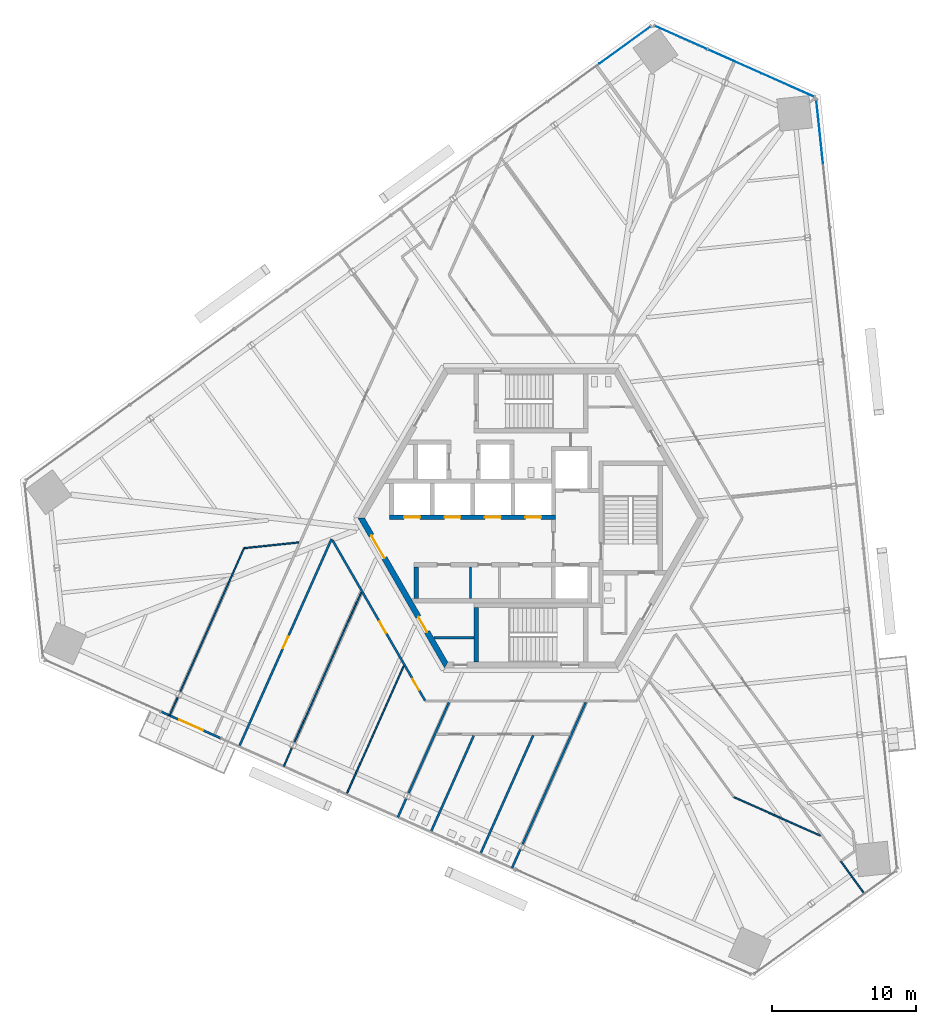
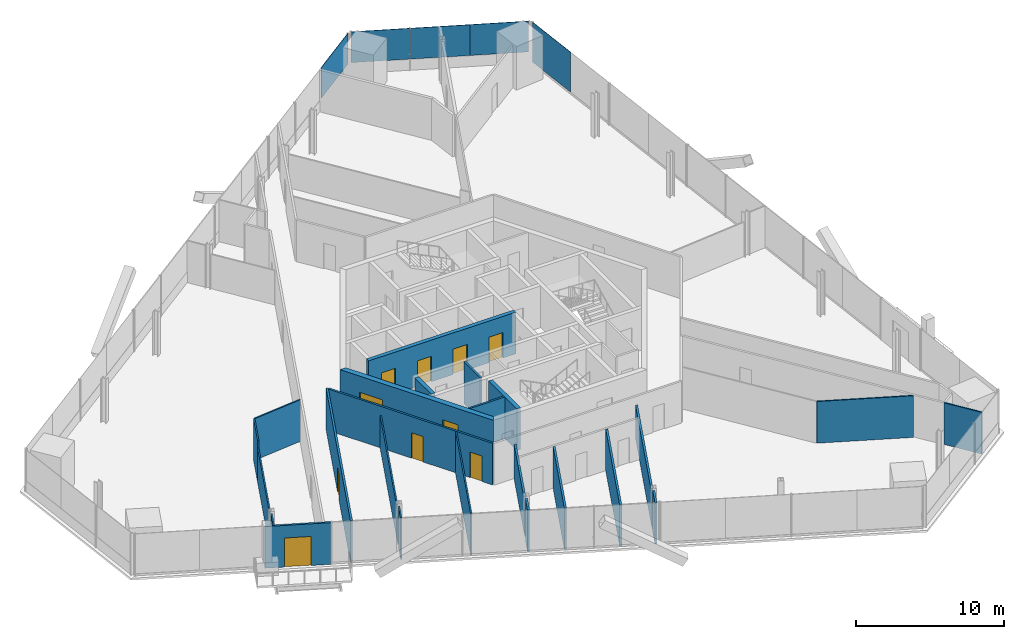
# One storey, part 11 of 19: 24 walls, 10 doors, 5 plates, 10 openings, 3 elements without a shape of their own.
"""IFC4 building model written with IfcOpenShell, lengths in metres."""

from ifc_helpers import new_model, si_unit, direction, frame, frame_2d, origin, origin_2d, place, context, subcontext, project, spatial, polyline, rectangle, outline, extrude, source, transform, mapped, material, layer, layer_set, type_object, element, fill, aggregate, save


model = new_model("IFC4")

# Units and contexts
model_context = context("Model", 3, precision=1e-05, world=origin(), true_north=direction((0.0, 1.0)))
body_context = subcontext(model_context, "Body", "Model", "MODEL_VIEW")
ifc_project = project(units=[si_unit("LENGTHUNIT", "METRE"), si_unit("AREAUNIT", "SQUARE_METRE"), si_unit("VOLUMEUNIT", "CUBIC_METRE"), si_unit("PLANEANGLEUNIT", "RADIAN"), si_unit("MASSUNIT", "GRAM", prefix="KILO")], contexts=[model_context])

# Site, building, storey
site_placement = place(None, origin())
site = spatial("IfcSite", under=ifc_project, at=site_placement, CompositionType="ELEMENT")
building_placement = place(site_placement, origin())
building = spatial("IfcBuilding", under=site, at=building_placement, Name="Triune Harvest Tower", CompositionType="ELEMENT")
storey_placement = place(building_placement, frame((0.0, 0.0, 69.300048828125)))
storey = spatial("IfcBuildingStorey", under=building, at=storey_placement, Name="L16", CompositionType="ELEMENT", Elevation=69.300048828125)

# Curtain wall, plates
ifc_material_1 = material(Name="Aluminium bronze anodised", Category="aluminium")
curtain_wall_type_1 = type_object("IfcCurtainWallType", Name="CW-1 Tower stick curtain wall", PredefinedType="NOTDEFINED", material=ifc_material_1)
curtain_wall_1_placement = place(storey_placement, origin())
curtain_wall_1 = element("IfcCurtainWall", 1, at=curtain_wall_1_placement, inside=storey, type_object=curtain_wall_type_1, Name="CW-1 B2-F2 L16 run 1")
ifc_material_2 = material(Name="Glass", Category="glass")
ifc_layer_1 = layer(ifc_material_2, 0.031982421875)
ifc_layer_set_1 = layer_set([ifc_layer_1], Name="Glass")
plate_type_1 = type_object("IfcPlateType", Name="GL-1 panel 32", PredefinedType="CURTAIN_PANEL", material=ifc_layer_set_1)
shared_shape_1 = source(origin(), body_context, "Body", "SweptSolid", [
    extrude(rectangle(XDim=3.99853515625, YDim=0.031982421875, at=origin_2d()), origin(), (0.0, 0.0, 1.0), 2.5400390625),
])
plate_1_placement = place(storey_placement, frame((17.783203125, 30.018798828125, 0.89990234375), z_axis=(0.0, 0.0, 1.0), x_axis=(-0.913546644034, 0.406733978386, 0.0)))
plate_1 = element("IfcPlate", 2, at=plate_1_placement, type_object=plate_type_1, Name="CW-1 panel B2-F2 1.1", PredefinedType="CURTAIN_PANEL", context=body_context, shape_type="MappedRepresentation", body=[
    mapped(shared_shape_1, transform((0.0, 0.0, 0.0), scale=1.0)),
])
shared_shape_2 = source(origin(), body_context, "Body", "SweptSolid", [
    extrude(rectangle(XDim=4.035888671875, YDim=0.031982421875, at=origin_2d()), origin(), (0.0, 0.0, 1.0), 2.5400390625),
])
plate_2_placement = place(storey_placement, frame((14.11328125, 31.65283203125, 0.89990234375), z_axis=(0.0, 0.0, 1.0), x_axis=(-0.913546644034, 0.406733978386, 0.0)))
plate_2 = element("IfcPlate", 3, at=plate_2_placement, type_object=plate_type_1, Name="CW-1 panel B2-F2 1.2", PredefinedType="CURTAIN_PANEL", context=body_context, shape_type="MappedRepresentation", body=[
    mapped(shared_shape_2, transform((0.0, 0.0, 0.0), scale=1.0)),
])
shared_shape_3 = source(origin(), body_context, "Body", "SweptSolid", [
    extrude(rectangle(XDim=3.9609375, YDim=0.031982421875, at=origin_2d()), origin(), (0.0, 0.0, 1.0), 2.5400390625),
])
plate_3_placement = place(storey_placement, frame((10.39208984375, 33.3095703125, 0.89990234375), z_axis=(0.0, 0.0, 1.0), x_axis=(-0.913546644034, 0.406733978386, 0.0)))
plate_3 = element("IfcPlate", 4, at=plate_3_placement, type_object=plate_type_1, Name="CW-1 panel B2-F2 1.3", PredefinedType="CURTAIN_PANEL", context=body_context, shape_type="MappedRepresentation", body=[
    mapped(shared_shape_3, transform((0.0, 0.0, 0.0), scale=1.0)),
])
aggregate(curtain_wall_1, [plate_1, plate_2, plate_3])

# Curtain wall, plate
curtain_wall_2_placement = place(storey_placement, origin())
curtain_wall_2 = element("IfcCurtainWall", 5, at=curtain_wall_2_placement, inside=storey, type_object=curtain_wall_type_1, Name="CW-1 B2-F3 L16 run 1")
shared_shape_4 = source(origin(), body_context, "Body", "SweptSolid", [
    extrude(rectangle(XDim=4.3955078125, YDim=0.031982421875, at=origin_2d()), origin(), (0.0, 0.0, 1.0), 2.5400390625),
])
plate_4_placement = place(storey_placement, frame((6.5205078125, 32.79345703125, 0.89990234375), z_axis=(0.0, 0.0, 1.0), x_axis=(-0.809016876799, -0.587785414122, 0.0)))
plate_4 = element("IfcPlate", 6, at=plate_4_placement, type_object=plate_type_1, Name="CW-1 panel B2-F3 1.1", PredefinedType="CURTAIN_PANEL", context=body_context, shape_type="MappedRepresentation", body=[
    mapped(shared_shape_4, transform((0.0, 0.0, 0.0), scale=1.0)),
])
aggregate(curtain_wall_2, [plate_4])

ifc_material_3 = material(Name="Aluminium bronze anodised", Category="aluminium")
curtain_wall_type_2 = type_object("IfcCurtainWallType", Name="CW-6 Balcony window wall", PredefinedType="NOTDEFINED", material=ifc_material_3)
curtain_wall_3_placement = place(storey_placement, origin())
curtain_wall_3 = element("IfcCurtainWall", 7, at=curtain_wall_3_placement, inside=storey, type_object=curtain_wall_type_2, Name="CW-6 B2-F1 L16 run 1002")
ifc_material_4 = material(Name="Glass", Category="glass")
ifc_layer_2 = layer(ifc_material_4, 0.030029296875)
ifc_layer_set_2 = layer_set([ifc_layer_2], Name="Glass")
plate_type_2 = type_object("IfcPlateType", Name="GL-6 panel 30", PredefinedType="CURTAIN_PANEL", material=ifc_layer_set_2)
shared_shape_5 = source(origin(), body_context, "Body", "SweptSolid", [
    extrude(rectangle(XDim=4.400634765625, YDim=0.030029296875, at=origin_2d()), origin(), (0.0, 0.0, 1.0), 3.2900390625),
])
plate_5_placement = place(storey_placement, frame((20.00732421875, 26.786376953125, 0.14990234375), z_axis=(0.0, 0.0, 1.0), x_axis=(-0.104527685331, 0.994521977132, 0.0)))
plate_5 = element("IfcPlate", 8, at=plate_5_placement, type_object=plate_type_2, Name="CW-6 panel B2-F1 1002.4", PredefinedType="CURTAIN_PANEL", context=body_context, shape_type="MappedRepresentation", body=[
    mapped(shared_shape_5, transform((0.0, 0.0, 0.0), scale=1.0)),
])
aggregate(curtain_wall_3, [plate_5])

# Wall, openings, doors
ifc_material_5 = material(Name="Gypsum board on steel studs", Category="steel")
ifc_layer_3 = layer(ifc_material_5, 0.14990234375)
ifc_layer_set_3 = layer_set([ifc_layer_3], Name="Gypsum board on steel studs")
wall_type_1 = type_object("IfcWallType", Name="Fire Partition 150 mm", PredefinedType="PARTITIONING", material=ifc_layer_set_3)
wall_1_placement = place(storey_placement, frame((-13.763916015625, -1.544677734375, 0.0), z_axis=(0.0, 0.0, 1.0), x_axis=(0.499994193788, -0.866028755976, 0.0)))
wall_1 = element("IfcWall", 9, at=wall_1_placement, inside=storey, type_object=wall_type_1, Name="Partition L16 003", PredefinedType="PARTITIONING", context=body_context, shape_type="SweptSolid", body=[
    extrude(rectangle(XDim=12.832275390625, YDim=0.14990234375, at=frame_2d((6.416015625, 0.0))), origin(), (0.0, 0.0, 1.0), 3.43994140625),
])
opening_1_placement = place(wall_1_placement, frame((6.5087890625, 0.0, 0.0)))
opening_1 = element("IfcOpeningElement", 10, at=opening_1_placement, cuts=wall_1, Name="Opening L16-014", PredefinedType="OPENING", context=body_context, shape_type="SweptSolid", body=[
    extrude(rectangle(XDim=0.89990234375, YDim=2.10009765625, at=frame_2d((0.449951171875, 1.050048828125))), frame((0.0, 0.0849609375, 0.0), z_axis=(0.0, -1.0, 0.0), x_axis=(1.0, 0.0, 0.0)), (0.0, 0.0, 1.0), 0.169921875),
])
opening_2_placement = place(wall_1_placement, frame((11.09765625, 0.0, 0.0)))
opening_2 = element("IfcOpeningElement", 11, at=opening_2_placement, cuts=wall_1, Name="Opening L16-015", PredefinedType="OPENING", context=body_context, shape_type="SweptSolid", body=[
    extrude(rectangle(XDim=0.89990234375, YDim=2.10009765625, at=frame_2d((0.449951171875, 1.050048828125))), frame((0.0, 0.0849609375, 0.0), z_axis=(0.0, -1.0, 0.0), x_axis=(1.0, 0.0, 0.0)), (0.0, 0.0, 1.0), 0.169921875),
])
ifc_material_6 = material(Name="Timber and steel door set", Category="steel")
door_type_1 = type_object("IfcDoorType", Name="Single leaf door FD30 left hand 900 x 2100", OperationType="SINGLE_SWING_LEFT", PredefinedType="DOOR", material=ifc_material_6)
door_1_placement = place(opening_1_placement, origin())
door_1 = element("IfcDoor", 12, at=door_1_placement, inside=storey, type_object=door_type_1, Name="Door L16-014 Office 16.14", OperationType="SINGLE_SWING_LEFT", OverallHeight=2.10009765625, OverallWidth=0.89990234375, PredefinedType="DOOR", context=body_context, shape_type="SweptSolid", body=[
    extrude(rectangle(XDim=0.89990234375, YDim=2.10009765625, at=frame_2d((0.449951171875, 1.050048828125))), frame((0.0, 0.02490234375, 0.0), z_axis=(0.0, -1.0, 0.0), x_axis=(1.0, 0.0, 0.0)), (0.0, 0.0, 1.0), 0.050048828125),
])
fill(opening_1, door_1)
door_2_placement = place(opening_2_placement, origin())
door_2 = element("IfcDoor", 13, at=door_2_placement, inside=storey, type_object=door_type_1, Name="Door L16-015 Meeting Room 16.15", OperationType="SINGLE_SWING_LEFT", OverallHeight=2.10009765625, OverallWidth=0.89990234375, PredefinedType="DOOR", context=body_context, shape_type="SweptSolid", body=[
    extrude(rectangle(XDim=0.89990234375, YDim=2.10009765625, at=frame_2d((0.449951171875, 1.050048828125))), frame((0.0, 0.02490234375, 0.0), z_axis=(0.0, -1.0, 0.0), x_axis=(1.0, 0.0, 0.0)), (0.0, 0.0, 1.0), 0.050048828125),
])
fill(opening_2, door_2)

# Wall
wall_2_placement = place(storey_placement, frame((-8.503173828125, -19.098388671875, 0.0), z_axis=(0.0, 0.0, 1.0), x_axis=(0.406741360929, 0.913543357105, 0.0)))
element("IfcWall", 14, at=wall_2_placement, inside=storey, type_object=wall_type_1, Name="Partition L16 036", PredefinedType="PARTITIONING", context=body_context, shape_type="SweptSolid", body=[
    extrude(rectangle(XDim=6.912353515625, YDim=0.14990234375, at=frame_2d((3.4560546875, 0.0))), origin(), (0.0, 0.0, 1.0), 2.82763671875),
])

# Wall, opening, door
wall_3_placement = place(storey_placement, frame((-20.23388671875, -15.837158203125, 0.0), z_axis=(0.0, 0.0, 1.0), x_axis=(0.406736762895, 0.913545404296, 0.0)))
wall_3 = element("IfcWall", 15, at=wall_3_placement, inside=storey, type_object=wall_type_1, Name="Partition L16 043", PredefinedType="PARTITIONING", context=body_context, shape_type="SweptSolid", body=[
    extrude(rectangle(XDim=15.748046875, YDim=0.14990234375, at=frame_2d((7.8740234375, 0.0))), origin(), (0.0, 0.0, 1.0), 3.43994140625),
])
opening_3_placement = place(wall_3_placement, frame((7.449951171875, 0.0, 0.0)))
opening_3 = element("IfcOpeningElement", 16, at=opening_3_placement, cuts=wall_3, Name="Opening L16-013", PredefinedType="OPENING", context=body_context, shape_type="SweptSolid", body=[
    extrude(rectangle(XDim=0.89990234375, YDim=2.10009765625, at=frame_2d((0.449951171875, 1.050048828125))), frame((0.0, 0.0849609375, 0.0), z_axis=(0.0, -1.0, 0.0), x_axis=(1.0, 0.0, 0.0)), (0.0, 0.0, 1.0), 0.169921875),
])
door_3_placement = place(opening_3_placement, origin())
door_3 = element("IfcDoor", 17, at=door_3_placement, inside=storey, type_object=door_type_1, Name="Door L16-013 Project Room 16.13", OperationType="SINGLE_SWING_LEFT", OverallHeight=2.10009765625, OverallWidth=0.89990234375, PredefinedType="DOOR", context=body_context, shape_type="SweptSolid", body=[
    extrude(rectangle(XDim=0.89990234375, YDim=2.10009765625, at=frame_2d((0.449951171875, 1.050048828125))), frame((0.0, 0.02490234375, 0.0), z_axis=(0.0, -1.0, 0.0), x_axis=(1.0, 0.0, 0.0)), (0.0, 0.0, 1.0), 0.050048828125),
])
fill(opening_3, door_3)

# Walls
ifc_material_7 = material(Name="Gypsum board on steel studs", Category="steel")
ifc_layer_4 = layer(ifc_material_7, 0.10009765625)
ifc_layer_set_4 = layer_set([ifc_layer_4], Name="Gypsum board on steel studs")
wall_type_2 = type_object("IfcWallType", Name="Partition 100 mm", PredefinedType="PARTITIONING", material=ifc_layer_set_4)
wall_4_placement = place(storey_placement, frame((14.067626953125, -19.35400390625, 0.0), z_axis=(0.0, 0.0, 1.0), x_axis=(0.913553618775, -0.406718312378, 0.0)))
element("IfcWall", 18, at=wall_4_placement, inside=storey, type_object=wall_type_2, Name="Partition L16 018", PredefinedType="PARTITIONING", context=body_context, shape_type="SweptSolid", body=[
    extrude(rectangle(XDim=6.562255859375, YDim=0.10009765625, at=frame_2d((3.28125, 0.0))), origin(), (0.0, 0.0, 1.0), 3.43994140625),
])
wall_5_placement = place(storey_placement, frame((-12.79296875, -19.14990234375, 0.0), z_axis=(0.0, 0.0, 1.0), x_axis=(0.406745311326, 0.91354159824, 0.0)))
element("IfcWall", 19, at=wall_5_placement, inside=storey, type_object=wall_type_2, Name="Partition L16 040", PredefinedType="PARTITIONING", context=body_context, shape_type="SweptSolid", body=[
    extrude(rectangle(XDim=9.7412109375, YDim=0.10009765625, at=frame_2d((4.87060546875, 0.0))), origin(), (0.0, 0.0, 1.0), 3.43994140625),
])
wall_6_placement = place(storey_placement, frame((-16.41650390625, -15.5751953125, 0.0), z_axis=(0.0, 0.0, 1.0), x_axis=(0.406737907723, 0.913544894584, 0.0)))
element("IfcWall", 20, at=wall_6_placement, inside=storey, type_object=wall_type_2, Name="Partition L16 042", PredefinedType="PARTITIONING", context=body_context, shape_type="SweptSolid", body=[
    extrude(rectangle(XDim=11.41064453125, YDim=0.10009765625, at=frame_2d((5.705322265625, 0.0))), origin(), (0.0, 0.0, 1.0), 2.682861328125),
])

# Wall, opening, door
ifc_material_8 = material(Name="Aluminium bronze anodised", Category="aluminium")
ifc_layer_5 = layer(ifc_material_8, 0.14990234375)
ifc_layer_set_5 = layer_set([ifc_layer_5], Name="Aluminium bronze anodised")
wall_type_3 = type_object("IfcWallType", Name="WW-2 balcony window wall", PredefinedType="ELEMENTEDWALL", material=ifc_layer_set_5)
wall_7_placement = place(storey_placement, frame((-21.525390625, -15.26220703125, 0.0), z_axis=(0.0, 0.0, 1.0), x_axis=(-0.913539759416, 0.406749441261, 0.0)))
wall_7 = element("IfcWall", 21, at=wall_7_placement, inside=storey, type_object=wall_type_3, Name="WW-2 B2-F5 L16.3", PredefinedType="ELEMENTEDWALL", context=body_context, shape_type="SweptSolid", body=[
    extrude(rectangle(XDim=4.4853515625, YDim=0.14990234375, at=frame_2d((2.24267578125, 0.0))), origin(), (0.0, 0.0, 1.0), 3.43994140625),
])
opening_4_placement = place(wall_7_placement, frame((1.3427734375, 0.0, 0.0)))
opening_4 = element("IfcOpeningElement", 22, at=opening_4_placement, cuts=wall_7, Name="Opening L16-E02", PredefinedType="OPENING", context=body_context, shape_type="SweptSolid", body=[
    extrude(rectangle(XDim=1.800048828125, YDim=2.39990234375, at=frame_2d((0.89990234375, 1.199951171875))), frame((0.0, 0.0849609375, 0.0), z_axis=(0.0, -1.0, 0.0), x_axis=(1.0, 0.0, 0.0)), (0.0, 0.0, 1.0), 0.169921875),
])
ifc_material_9 = material(Name="Glass", Category="glass")
door_type_2 = type_object("IfcDoorType", Name="DB-1 balcony door 1800 x 2400", OperationType="DOUBLE_DOOR_SINGLE_SWING", PredefinedType="DOOR", material=ifc_material_9)
door_4_placement = place(opening_4_placement, origin())
door_4 = element("IfcDoor", 23, at=door_4_placement, inside=storey, type_object=door_type_2, Name="Door L16-E02", OperationType="DOUBLE_DOOR_SINGLE_SWING", OverallHeight=2.39990234375, OverallWidth=1.800048828125, PredefinedType="DOOR", context=body_context, shape_type="SweptSolid", body=[
    extrude(rectangle(XDim=1.800048828125, YDim=2.39990234375, at=frame_2d((0.89990234375, 1.199951171875))), frame((0.0, 0.02490234375, 0.0), z_axis=(0.0, -1.0, 0.0), x_axis=(1.0, 0.0, 0.0)), (0.0, 0.0, 1.0), 0.050048828125),
])
fill(opening_4, door_4)

# Wall, openings, doors
ifc_material_10 = material(Name="Concrete 70 MPa", Category="concrete")
ifc_layer_6 = layer(ifc_material_10, 0.39990234375)
ifc_layer_set_6 = layer_set([ifc_layer_6], Name="Concrete 70 MPa")
wall_type_4 = type_object("IfcWallType", Name="Core wall 400", PredefinedType="SHEAR", material=ifc_layer_set_6)
shared_shape_6 = source(origin(), body_context, "Body", "SweptSolid", [
    extrude(outline(polyline([(-0.115478515625, -0.199951171875), (11.884521484375, -0.199951171875), (11.653564453125, 0.199951171875), (0.115478515625, 0.199951171875), (-0.115478515625, -0.199951171875)])), origin(), (0.0, 0.0, 1.0), 3.43994140625),
])
wall_8_placement = place(storey_placement, frame((-11.76904296875, 0.0, 0.0), z_axis=(0.0, 0.0, 1.0), x_axis=(0.499996592174, -0.866027371285, 0.0)))
wall_8 = element("IfcWall", 24, at=wall_8_placement, inside=storey, type_object=wall_type_4, Name="Hexagon 3 wall", PredefinedType="SHEAR", context=body_context, shape_type="MappedRepresentation", body=[
    mapped(shared_shape_6, transform((0.0, 0.0, 0.0), scale=1.0)),
])
opening_5_placement = place(wall_8_placement, frame((1.404541015625, 0.0, 0.0)))
opening_5 = element("IfcOpeningElement", 25, at=opening_5_placement, cuts=wall_8, Name="Opening CD-LS", PredefinedType="OPENING", context=body_context, shape_type="SweptSolid", body=[
    extrude(rectangle(XDim=1.800048828125, YDim=2.10009765625, at=frame_2d((0.89990234375, 1.050048828125))), frame((0.0, 0.2099609375, 0.0), z_axis=(0.0, -1.0, 0.0), x_axis=(1.0, 0.0, 0.0)), (0.0, 0.0, 1.0), 0.419921875),
])
opening_6_placement = place(wall_8_placement, frame((7.91455078125, 0.0, 0.0)))
opening_6 = element("IfcOpeningElement", 26, at=opening_6_placement, cuts=wall_8, Name="Opening CD-SWP", PredefinedType="OPENING", context=body_context, shape_type="SweptSolid", body=[
    extrude(rectangle(XDim=1.199951171875, YDim=2.10009765625, at=frame_2d((0.60009765625, 1.050048828125))), frame((0.0, 0.2099609375, 0.0), z_axis=(0.0, -1.0, 0.0), x_axis=(1.0, 0.0, 0.0)), (0.0, 0.0, 1.0), 0.419921875),
])
ifc_material_11 = material(Name="Steel S235", Category="steel")
door_type_3 = type_object("IfcDoorType", Name="Lobby door 1800 FD120", OperationType="DOUBLE_DOOR_DOUBLE_SWING", PredefinedType="DOOR", material=ifc_material_11)
door_5_placement = place(opening_5_placement, frame((1.800048828125, 0.0, 0.0), z_axis=(0.0, 0.0, 1.0), x_axis=(-1.0, 0.0, 0.0)))
door_5 = element("IfcDoor", 27, at=door_5_placement, inside=storey, type_object=door_type_3, Name="Door CD-LS", OperationType="DOUBLE_DOOR_DOUBLE_SWING", OverallHeight=2.10009765625, OverallWidth=1.800048828125, PredefinedType="DOOR", context=body_context, shape_type="SweptSolid", body=[
    extrude(rectangle(XDim=1.800048828125, YDim=2.10009765625, at=frame_2d((0.89990234375, 1.050048828125))), frame((0.0, 0.02490234375, 0.0), z_axis=(0.0, -1.0, 0.0), x_axis=(1.0, 0.0, 0.0)), (0.0, 0.0, 1.0), 0.050048828125),
])
fill(opening_5, door_5)
ifc_material_12 = material(Name="Steel S235", Category="steel")
door_type_4 = type_object("IfcDoorType", Name="Service door 1200 FD120", OperationType="SINGLE_SWING_LEFT", PredefinedType="DOOR", material=ifc_material_12)
door_6_placement = place(opening_6_placement, frame((1.199951171875, 0.0, 0.0), z_axis=(0.0, 0.0, 1.0), x_axis=(-1.0, 0.0, 0.0)))
door_6 = element("IfcDoor", 28, at=door_6_placement, inside=storey, type_object=door_type_4, Name="Door CD-SWP", OperationType="SINGLE_SWING_RIGHT", OverallHeight=2.10009765625, OverallWidth=1.199951171875, PredefinedType="DOOR", context=body_context, shape_type="SweptSolid", body=[
    extrude(rectangle(XDim=1.199951171875, YDim=2.10009765625, at=frame_2d((0.60009765625, 1.050048828125))), frame((0.0, 0.02490234375, 0.0), z_axis=(0.0, -1.0, 0.0), x_axis=(1.0, 0.0, 0.0)), (0.0, 0.0, 1.0), 0.050048828125),
])
fill(opening_6, door_6)

ifc_material_13 = material(Name="Concrete 70 MPa", Category="concrete")
ifc_layer_7 = layer(ifc_material_13, 0.300048828125)
ifc_layer_set_7 = layer_set([ifc_layer_7], Name="Concrete 70 MPa")
wall_type_5 = type_object("IfcWallType", Name="Core wall 300", PredefinedType="SHEAR", material=ifc_layer_set_7)
shared_shape_7 = source(origin(), body_context, "Body", "SweptSolid", [
    extrude(rectangle(XDim=11.5, YDim=0.300048828125, at=frame_2d((5.75, 0.0))), origin(), (0.0, 0.0, 1.0), 3.43994140625),
])
wall_9_placement = place(storey_placement, frame((-9.800048828125, 0.06005859375, 0.0), z_axis=(0.0, 0.0, 1.0), x_axis=(1.0, 0.0, 0.0)))
wall_9 = element("IfcWall", 29, at=wall_9_placement, inside=storey, type_object=wall_type_5, Name="North front wall", PredefinedType="SHEAR", context=body_context, shape_type="MappedRepresentation", body=[
    mapped(shared_shape_7, transform((0.0, 0.0, 0.0), scale=1.0)),
])
opening_7_placement = place(wall_9_placement, frame((1.0, 0.0, 0.0)))
opening_7 = element("IfcOpeningElement", 30, at=opening_7_placement, cuts=wall_9, Name="Opening LD-LR1-16", PredefinedType="OPENING", context=body_context, shape_type="SweptSolid", body=[
    extrude(rectangle(XDim=1.10009765625, YDim=2.10009765625, at=frame_2d((0.550048828125, 1.050048828125))), frame((0.0, 0.16015625, 0.0), z_axis=(0.0, -1.0, 0.0), x_axis=(1.0, 0.0, 0.0)), (0.0, 0.0, 1.0), 0.320068359375),
])
opening_8_placement = place(wall_9_placement, frame((3.800048828125, 0.0, 0.0)))
opening_8 = element("IfcOpeningElement", 31, at=opening_8_placement, cuts=wall_9, Name="Opening LD-LR2-16", PredefinedType="OPENING", context=body_context, shape_type="SweptSolid", body=[
    extrude(rectangle(XDim=1.10009765625, YDim=2.10009765625, at=frame_2d((0.550048828125, 1.050048828125))), frame((0.0, 0.16015625, 0.0), z_axis=(0.0, -1.0, 0.0), x_axis=(1.0, 0.0, 0.0)), (0.0, 0.0, 1.0), 0.320068359375),
])
opening_9_placement = place(wall_9_placement, frame((6.60009765625, 0.0, 0.0)))
opening_9 = element("IfcOpeningElement", 32, at=opening_9_placement, cuts=wall_9, Name="Opening LD-LR3-16", PredefinedType="OPENING", context=body_context, shape_type="SweptSolid", body=[
    extrude(rectangle(XDim=1.10009765625, YDim=2.10009765625, at=frame_2d((0.550048828125, 1.050048828125))), frame((0.0, 0.16015625, 0.0), z_axis=(0.0, -1.0, 0.0), x_axis=(1.0, 0.0, 0.0)), (0.0, 0.0, 1.0), 0.320068359375),
])
opening_10_placement = place(wall_9_placement, frame((9.39990234375, 0.0, 0.0)))
opening_10 = element("IfcOpeningElement", 33, at=opening_10_placement, cuts=wall_9, Name="Opening LD-LR4-16", PredefinedType="OPENING", context=body_context, shape_type="SweptSolid", body=[
    extrude(rectangle(XDim=1.10009765625, YDim=2.10009765625, at=frame_2d((0.550048828125, 1.050048828125))), frame((0.0, 0.16015625, 0.0), z_axis=(0.0, -1.0, 0.0), x_axis=(1.0, 0.0, 0.0)), (0.0, 0.0, 1.0), 0.320068359375),
])
ifc_material_14 = material(Name="Stainless steel AISI 304", Category="steel")
door_type_5 = type_object("IfcDoorType", Name="Landing door 1100 x 2100", OperationType="DOUBLE_DOOR_SLIDING", PredefinedType="DOOR", material=ifc_material_14)
door_7_placement = place(opening_7_placement, origin())
door_7 = element("IfcDoor", 34, at=door_7_placement, inside=storey, type_object=door_type_5, Name="Door LD-LR1-16", OperationType="DOUBLE_DOOR_SLIDING", OverallHeight=2.10009765625, OverallWidth=1.10009765625, PredefinedType="DOOR", context=body_context, shape_type="SweptSolid", body=[
    extrude(rectangle(XDim=1.10009765625, YDim=2.10009765625, at=frame_2d((0.550048828125, 1.050048828125))), frame((0.0, 0.02490234375, 0.0), z_axis=(0.0, -1.0, 0.0), x_axis=(1.0, 0.0, 0.0)), (0.0, 0.0, 1.0), 0.050048828125),
])
fill(opening_7, door_7)
door_8_placement = place(opening_8_placement, origin())
door_8 = element("IfcDoor", 35, at=door_8_placement, inside=storey, type_object=door_type_5, Name="Door LD-LR2-16", OperationType="DOUBLE_DOOR_SLIDING", OverallHeight=2.10009765625, OverallWidth=1.10009765625, PredefinedType="DOOR", context=body_context, shape_type="SweptSolid", body=[
    extrude(rectangle(XDim=1.10009765625, YDim=2.10009765625, at=frame_2d((0.550048828125, 1.050048828125))), frame((0.0, 0.02490234375, 0.0), z_axis=(0.0, -1.0, 0.0), x_axis=(1.0, 0.0, 0.0)), (0.0, 0.0, 1.0), 0.050048828125),
])
fill(opening_8, door_8)
door_9_placement = place(opening_9_placement, origin())
door_9 = element("IfcDoor", 36, at=door_9_placement, inside=storey, type_object=door_type_5, Name="Door LD-LR3-16", OperationType="DOUBLE_DOOR_SLIDING", OverallHeight=2.10009765625, OverallWidth=1.10009765625, PredefinedType="DOOR", context=body_context, shape_type="SweptSolid", body=[
    extrude(rectangle(XDim=1.10009765625, YDim=2.10009765625, at=frame_2d((0.550048828125, 1.050048828125))), frame((0.0, 0.02490234375, 0.0), z_axis=(0.0, -1.0, 0.0), x_axis=(1.0, 0.0, 0.0)), (0.0, 0.0, 1.0), 0.050048828125),
])
fill(opening_9, door_9)
door_10_placement = place(opening_10_placement, origin())
door_10 = element("IfcDoor", 37, at=door_10_placement, inside=storey, type_object=door_type_5, Name="Door LD-LR4-16", OperationType="DOUBLE_DOOR_SLIDING", OverallHeight=2.10009765625, OverallWidth=1.10009765625, PredefinedType="DOOR", context=body_context, shape_type="SweptSolid", body=[
    extrude(rectangle(XDim=1.10009765625, YDim=2.10009765625, at=frame_2d((0.550048828125, 1.050048828125))), frame((0.0, 0.02490234375, 0.0), z_axis=(0.0, -1.0, 0.0), x_axis=(1.0, 0.0, 0.0)), (0.0, 0.0, 1.0), 0.050048828125),
])
fill(opening_10, door_10)

# Walls
shared_shape_8 = source(origin(), body_context, "Body", "SweptSolid", [
    extrude(rectangle(XDim=2.2001953125, YDim=0.300048828125, at=frame_2d((1.10009765625, 0.0))), origin(), (0.0, 0.0, 1.0), 3.43994140625),
])
wall_10_placement = place(storey_placement, frame((-7.949951171875, -5.590087890625, 0.0), z_axis=(0.0, 0.0, 1.0), x_axis=(0.0, 1.0, 0.0)))
element("IfcWall", 38, at=wall_10_placement, inside=storey, type_object=wall_type_5, Name="South end west wall", PredefinedType="SHEAR", context=body_context, shape_type="MappedRepresentation", body=[
    mapped(shared_shape_8, transform((0.0, 0.0, 0.0), scale=1.0)),
])
shared_shape_9 = source(origin(), body_context, "Body", "SweptSolid", [
    extrude(outline(polyline([(3.800048828125, -0.14990234375), (-0.00439453125, -0.14990234375), (-0.00439453125, 0.14990234375), (3.800048828125, 0.14990234375), (3.800048828125, -0.14990234375)])), origin(), (0.0, 0.0, 1.0), 3.43994140625),
])
wall_11_placement = place(storey_placement, frame((-3.800048828125, -9.989990234375, 0.0), z_axis=(0.0, 0.0, 1.0), x_axis=(0.0, 1.0, 0.0)))
element("IfcWall", 39, at=wall_11_placement, inside=storey, type_object=wall_type_5, Name="Stair s west wall", PredefinedType="SHEAR", context=body_context, shape_type="MappedRepresentation", body=[
    mapped(shared_shape_9, transform((0.0, 0.0, 0.0), scale=1.0)),
])
ifc_material_15 = material(Name="Concrete masonry unit", Category="masonry")
ifc_layer_8 = layer(ifc_material_15, 0.14990234375)
ifc_layer_set_8 = layer_set([ifc_layer_8], Name="Concrete masonry unit")
wall_type_6 = type_object("IfcWallType", Name="Block partition 150", PredefinedType="PARTITIONING", material=ifc_layer_set_8)
shared_shape_10 = source(origin(), body_context, "Body", "SweptSolid", [
    extrude(rectangle(XDim=2.2001953125, YDim=0.14990234375, at=frame_2d((1.10009765625, 0.0))), origin(), (0.0, 0.0, 1.0), 3.43994140625),
])
wall_12_placement = place(storey_placement, frame((-4.199951171875, -5.590087890625, 0.0), z_axis=(0.0, 0.0, 1.0), x_axis=(0.0, 1.0, 0.0)))
element("IfcWall", 40, at=wall_12_placement, inside=storey, type_object=wall_type_6, Name="Row s part 1 wall", PredefinedType="PARTITIONING", context=body_context, shape_type="MappedRepresentation", body=[
    mapped(shared_shape_10, transform((0.0, 0.0, 0.0), scale=1.0)),
])
shared_shape_11 = source(origin(), body_context, "Body", "SweptSolid", [
    extrude(rectangle(XDim=2.777099609375, YDim=0.14990234375, at=frame_2d((1.388671875, 0.0))), origin(), (0.0, 0.0, 1.0), 3.43994140625),
])
wall_13_placement = place(storey_placement, frame((-6.72705078125, -8.300048828125, 0.0), z_axis=(0.0, 0.0, 1.0), x_axis=(1.0, 0.0, 0.0)))
element("IfcWall", 41, at=wall_13_placement, inside=storey, type_object=wall_type_6, Name="Sw part wall", PredefinedType="PARTITIONING", context=body_context, shape_type="MappedRepresentation", body=[
    mapped(shared_shape_11, transform((0.0, 0.0, 0.0), scale=1.0)),
])
shared_shape_12 = source(origin(), body_context, "Body", "SweptSolid", [
    extrude(rectangle(XDim=1.41845703125, YDim=0.14990234375, at=frame_2d((0.709228515625, 0.0))), origin(), (0.0, 0.0, 1.0), 3.43994140625),
])
wall_14_placement = place(storey_placement, frame((-1.31884765625, -24.2587890625, 0.0), z_axis=(0.0, 0.0, 1.0), x_axis=(0.406697305895, 0.913562970669, 0.0)))
element("IfcWall", 42, at=wall_14_placement, inside=storey, type_object=wall_type_1, Name="Partition L16 031", PredefinedType="PARTITIONING", context=body_context, shape_type="MappedRepresentation", body=[
    mapped(shared_shape_12, transform((0.0, 0.0, 0.0), scale=1.0)),
])
shared_shape_13 = source(origin(), body_context, "Body", "SweptSolid", [
    extrude(rectangle(XDim=1.418212890625, YDim=0.10009765625, at=frame_2d((0.708984375, 0.0))), origin(), (0.0, 0.0, 1.0), 3.43994140625),
])
for number, where, z_axis, x_axis, name in (
    (43, (-17.145263671875, -17.212158203125, 0.0), (0.0, 0.0, 1.0), (0.40676126154, 0.913534496399, 0.0), "Partition L16 041"),
    (44, (-25.05859375, -13.68896484375, 0.0), (0.0, 0.0, 1.0), (0.40676126154, 0.913534496399, 0.0), "Partition L16 048"),
):
    element("IfcWall", number, at=place(storey_placement, frame(where, z_axis=z_axis, x_axis=x_axis)), inside=storey, type_object=wall_type_2, Name=name, PredefinedType="PARTITIONING", context=body_context, shape_type="MappedRepresentation", body=[
        mapped(shared_shape_13, transform((0.0, 0.0, 0.0), scale=1.0)),
    ])
shared_shape_14 = source(origin(), body_context, "Body", "SweptSolid", [
    extrude(rectangle(XDim=2.7802734375, YDim=0.10009765625, at=frame_2d((1.39013671875, 0.0))), origin(), (0.0, 0.0, 1.0), 3.43994140625),
])
wall_15_placement = place(storey_placement, frame((21.471435546875, -23.801513671875, 0.0), z_axis=(0.0, 0.0, 1.0), x_axis=(0.587806154415, -0.809001807682, 0.0)))
element("IfcWall", 45, at=wall_15_placement, inside=storey, type_object=wall_type_2, Name="Partition L16 010", PredefinedType="PARTITIONING", context=body_context, shape_type="MappedRepresentation", body=[
    mapped(shared_shape_14, transform((0.0, 0.0, 0.0), scale=1.0)),
])
shared_shape_15 = source(origin(), body_context, "Body", "SweptSolid", [
    extrude(rectangle(XDim=3.794189453125, YDim=0.10009765625, at=frame_2d((1.89697265625, 0.0))), origin(), (0.0, 0.0, 1.0), 3.43994140625),
])
wall_16_placement = place(storey_placement, frame((-19.875, -2.0888671875, 0.0), z_axis=(0.0, 0.0, 1.0), x_axis=(0.994525179628, 0.104497210903, 0.0)))
element("IfcWall", 46, at=wall_16_placement, inside=storey, type_object=wall_type_2, Name="Partition L16 022", PredefinedType="PARTITIONING", context=body_context, shape_type="MappedRepresentation", body=[
    mapped(shared_shape_15, transform((0.0, 0.0, 0.0), scale=1.0)),
])
shared_shape_16 = source(origin(), body_context, "Body", "SweptSolid", [
    extrude(rectangle(XDim=10.768798828125, YDim=0.14990234375, at=frame_2d((5.38427734375, 0.0))), origin(), (0.0, 0.0, 1.0), 2.7568359375),
])
wall_17_placement = place(storey_placement, frame((-0.58984375, -22.62158203125, 0.0), z_axis=(0.0, 0.0, 1.0), x_axis=(0.406737870943, 0.91354491096, 0.0)))
element("IfcWall", 47, at=wall_17_placement, inside=storey, type_object=wall_type_1, Name="Partition L16 032", PredefinedType="PARTITIONING", context=body_context, shape_type="MappedRepresentation", body=[
    mapped(shared_shape_16, transform((0.0, 0.0, 0.0), scale=1.0)),
])
shared_shape_17 = source(origin(), body_context, "Body", "SweptSolid", [
    extrude(rectangle(XDim=8.98486328125, YDim=0.14990234375, at=frame_2d((4.492431640625, 0.0))), origin(), (0.0, 0.0, 1.0), 3.43994140625),
])
wall_18_placement = place(storey_placement, frame((-3.51123046875, -23.282470703125, 0.0), z_axis=(0.0, 0.0, 1.0), x_axis=(0.406745977018, 0.913541301847, 0.0)))
element("IfcWall", 48, at=wall_18_placement, inside=storey, type_object=wall_type_1, Name="Partition L16 033", PredefinedType="PARTITIONING", context=body_context, shape_type="MappedRepresentation", body=[
    mapped(shared_shape_17, transform((0.0, 0.0, 0.0), scale=1.0)),
])
shared_shape_18 = source(origin(), body_context, "Body", "SweptSolid", [
    extrude(rectangle(XDim=7.302001953125, YDim=0.14990234375, at=frame_2d((3.65087890625, 0.0))), origin(), (0.0, 0.0, 1.0), 3.43994140625),
])
wall_19_placement = place(storey_placement, frame((-6.943603515625, -21.75439453125, 0.0), z_axis=(0.0, 0.0, 1.0), x_axis=(0.406737107151, 0.913545251023, 0.0)))
element("IfcWall", 49, at=wall_19_placement, inside=storey, type_object=wall_type_1, Name="Partition L16 034", PredefinedType="PARTITIONING", context=body_context, shape_type="MappedRepresentation", body=[
    mapped(shared_shape_18, transform((0.0, 0.0, 0.0), scale=1.0)),
])
shared_shape_19 = source(origin(), body_context, "Body", "SweptSolid", [
    extrude(rectangle(XDim=1.418212890625, YDim=0.14990234375, at=frame_2d((0.708984375, 0.0))), origin(), (0.0, 0.0, 1.0), 3.43994140625),
])
wall_20_placement = place(storey_placement, frame((-9.232177734375, -20.7353515625, 0.0), z_axis=(0.0, 0.0, 1.0), x_axis=(0.40676126154, 0.913534496399, 0.0)))
element("IfcWall", 50, at=wall_20_placement, inside=storey, type_object=wall_type_1, Name="Partition L16 035", PredefinedType="PARTITIONING", context=body_context, shape_type="MappedRepresentation", body=[
    mapped(shared_shape_19, transform((0.0, 0.0, 0.0), scale=1.0)),
])
shared_shape_20 = source(origin(), body_context, "Body", "SweptSolid", [
    extrude(rectangle(XDim=8.29150390625, YDim=0.10009765625, at=frame_2d((4.145751953125, 0.0))), origin(), (0.0, 0.0, 1.0), 2.82763671875),
])
wall_21_placement = place(storey_placement, frame((-24.329833984375, -12.0517578125, 0.0), z_axis=(0.0, 0.0, 1.0), x_axis=(0.406744870427, 0.913541794546, 0.0)))
element("IfcWall", 51, at=wall_21_placement, inside=storey, type_object=wall_type_2, Name="Partition L16 049", PredefinedType="PARTITIONING", context=body_context, shape_type="MappedRepresentation", body=[
    mapped(shared_shape_20, transform((0.0, 0.0, 0.0), scale=1.0)),
])
shared_shape_21 = source(origin(), body_context, "Body", "SweptSolid", [
    extrude(rectangle(XDim=2.61181640625, YDim=0.10009765625, at=frame_2d((1.305908203125, 0.0))), origin(), (0.0, 0.0, 1.0), 3.43994140625),
])
wall_22_placement = place(storey_placement, frame((-20.957275390625, -4.47705078125, 0.0), z_axis=(0.0, 0.0, 1.0), x_axis=(0.406719484736, 0.913553096835, 0.0)))
element("IfcWall", 52, at=wall_22_placement, inside=storey, type_object=wall_type_2, Name="Partition L16 049a", PredefinedType="PARTITIONING", context=body_context, shape_type="MappedRepresentation", body=[
    mapped(shared_shape_21, transform((0.0, 0.0, 0.0), scale=1.0)),
])

save(model, "model.ifc")
